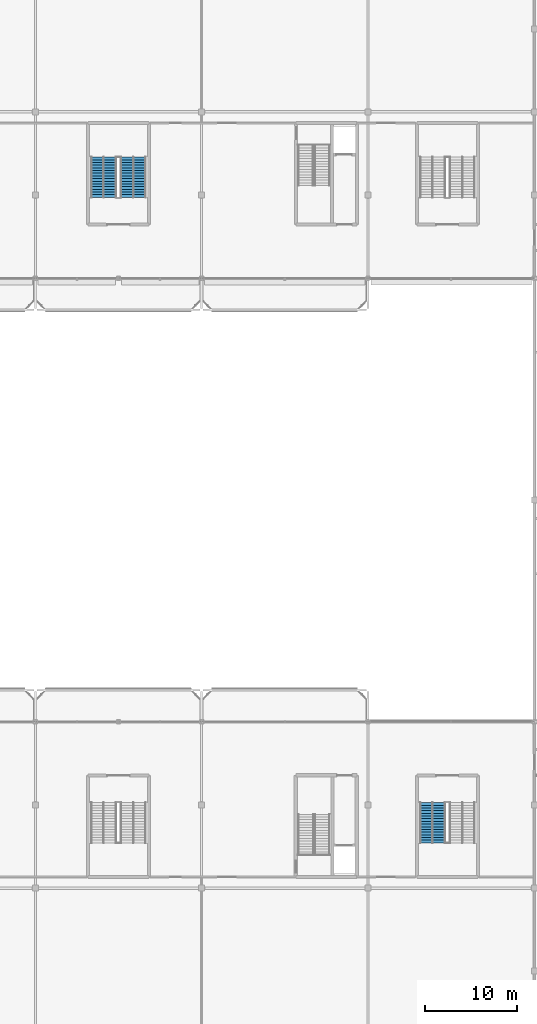
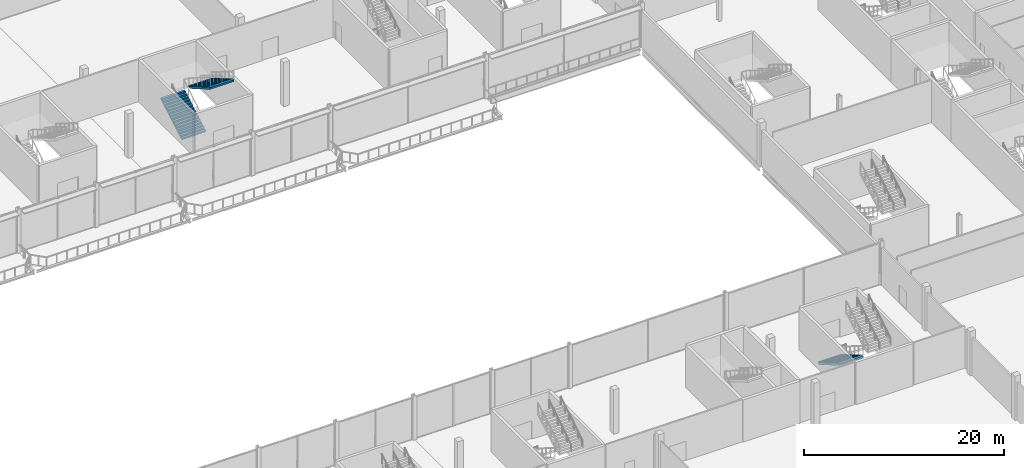
# One storey, part 88 of 113: 3 stair flights, 2 elements without a shape of their own.
"""IFC4 building model written with IfcOpenShell, lengths in metres."""

from ifc_helpers import new_model, si_unit, direction, frame, origin, place, context, subcontext, project, spatial, polygons, material, type_object, element, aggregate, save


model = new_model("IFC4")

# Units and contexts
model_context = context("Model", 3, precision=1e-05, world=origin(), true_north=direction((0.0, 1.0)))
body_context = subcontext(model_context, "Body", "Model", "MODEL_VIEW")
ifc_project = project(units=[si_unit("LENGTHUNIT", "METRE"), si_unit("AREAUNIT", "SQUARE_METRE"), si_unit("VOLUMEUNIT", "CUBIC_METRE"), si_unit("PLANEANGLEUNIT", "RADIAN"), si_unit("MASSUNIT", "GRAM", prefix="KILO")], contexts=[model_context])

# Site, building, storey
site_placement = place(None, origin())
site = spatial("IfcSite", under=ifc_project, at=site_placement, CompositionType="ELEMENT")
building_placement = place(site_placement, origin())
building = spatial("IfcBuilding", under=site, at=building_placement, Name="Kisiwana Market Hall", CompositionType="ELEMENT")
storey_placement = place(building_placement, frame((0.0, 0.0, 6.0)))
storey = spatial("IfcBuildingStorey", under=building, at=storey_placement, Name="L01", CompositionType="ELEMENT", Elevation=6.0)

# Stair, stair flights
ifc_material_1 = material(Name="Concrete C32/40", Category="concrete")
stair_type = type_object("IfcStairType", Name="ST-ESC-5400", PredefinedType="TWO_STRAIGHT_RUN_STAIR", material=ifc_material_1)
stair_1_placement = place(storey_placement, origin())
stair_1 = element("IfcStair", 1, at=stair_1_placement, inside=storey, type_object=stair_type, Name="Escape stair ST-N5-L01", PredefinedType="TWO_STRAIGHT_RUN_STAIR")
ifc_material_2 = material(Name="Concrete C32/40", Category="concrete")
stair_flight_type = type_object("IfcStairFlightType", Name="SF-ESC-5400", PredefinedType="STRAIGHT", material=ifc_material_2)
stair_flight_1_placement = place(storey_placement, frame((106.389892578125, 92.760009765625, 0.0), z_axis=(0.0, 0.0, 1.0), x_axis=(0.0, 1.0, 0.0)))
stair_flight_1 = element("IfcStairFlight", 2, at=stair_flight_1_placement, type_object=stair_flight_type, Name="ST-N5-L01 flight 1", NumberOfRisers=16, NumberOfTreads=15, PredefinedType="STRAIGHT", RiserHeight=0.16875, TreadLength=0.29, context=body_context, shape_type="Tessellation", body=[
    polygons([(0.0, -1.380127, 0.0), (0.0, -0.690125, 0.0), (0.0, -0.000122, 0.0), (0.0, 0.68988, 0.0), (0.0, 1.379883, 0.0), (0.0, -1.380127, 0.168701), (0.0, -0.690125, 0.168701), (0.0, -0.000122, 0.168701), (0.0, 0.68988, 0.168701), (0.0, 1.379883, 0.168701), (0.290039, -1.380127, 0.168701), (0.290039, -0.690125, 0.168701), (0.290039, -0.000122, 0.168701), (0.290039, 0.68988, 0.168701), (0.290039, 1.379883, 0.168701), (0.290039, -1.380127, 0.337402), (0.290039, -0.690125, 0.337402), (0.290039, -0.000122, 0.337402), (0.290039, 0.68988, 0.337402), (0.290039, 1.379883, 0.337402), (0.580078, -1.380127, 0.337402), (0.580078, -0.690125, 0.337402), (0.580078, -0.000122, 0.337402), (0.580078, 0.68988, 0.337402), (0.580078, 1.379883, 0.337402), (0.580078, -1.380127, 0.506348), (0.580078, -0.690125, 0.506348), (0.580078, -0.000122, 0.506348), (0.580078, 0.68988, 0.506348), (0.580078, 1.379883, 0.506348), (0.870117, -1.380127, 0.506348), (0.870117, -0.690125, 0.506348), (0.870117, -0.000122, 0.506348), (0.870117, 0.68988, 0.506348), (0.870117, 1.379883, 0.506348), (0.870117, -1.380127, 0.675049), (0.870117, -0.690125, 0.675049), (0.870117, -0.000122, 0.675049), (0.870117, 0.68988, 0.675049), (0.870117, 1.379883, 0.675049), (1.159912, -1.380127, 0.675049), (1.159912, -0.690125, 0.675049), (1.159912, -0.000122, 0.675049), (1.159912, 0.68988, 0.675049), (1.159912, 1.379883, 0.675049), (1.159912, -1.380127, 0.84375), (1.159912, -0.690125, 0.84375), (1.159912, -0.000122, 0.84375), (1.159912, 0.68988, 0.84375), (1.159912, 1.379883, 0.84375), (1.449951, -1.380127, 0.84375), (1.449951, -0.690125, 0.84375), (1.449951, -0.000122, 0.84375), (1.449951, 0.68988, 0.84375), (1.449951, 1.379883, 0.84375), (1.449951, -1.380127, 1.012451), (1.449951, -0.690125, 1.012451), (1.449951, -0.000122, 1.012451), (1.449951, 0.68988, 1.012451), (1.449951, 1.379883, 1.012451), (1.73999, -1.380127, 1.012451), (1.73999, -0.690125, 1.012451), (1.73999, -0.000122, 1.012451), (1.73999, 0.68988, 1.012451), (1.73999, 1.379883, 1.012451), (1.73999, -1.380127, 1.181152), (1.73999, -0.690125, 1.181152), (1.73999, -0.000122, 1.181152), (1.73999, 0.68988, 1.181152), (1.73999, 1.379883, 1.181152), (2.030029, -1.380127, 1.181152), (2.030029, -0.690125, 1.181152), (2.030029, -0.000122, 1.181152), (2.030029, 0.68988, 1.181152), (2.030029, 1.379883, 1.181152), (2.030029, -1.380127, 1.350098), (2.030029, -0.690125, 1.350098), (2.030029, -0.000122, 1.350098), (2.030029, 0.68988, 1.350098), (2.030029, 1.379883, 1.350098), (2.320068, -1.380127, 1.350098), (2.320068, -0.690125, 1.350098), (2.320068, -0.000122, 1.350098), (2.320068, 0.68988, 1.350098), (2.320068, 1.379883, 1.350098), (2.320068, -1.380127, 1.518799), (2.320068, -0.690125, 1.518799), (2.320068, -0.000122, 1.518799), (2.320068, 0.68988, 1.518799), (2.320068, 1.379883, 1.518799), (2.610107, -1.380127, 1.518799), (2.610107, -0.690125, 1.518799), (2.610107, -0.000122, 1.518799), (2.610107, 0.68988, 1.518799), (2.610107, 1.379883, 1.518799), (2.610107, -1.380127, 1.6875), (2.610107, -0.690125, 1.6875), (2.610107, -0.000122, 1.6875), (2.610107, 0.68988, 1.6875), (2.610107, 1.379883, 1.6875), (2.899902, -1.380127, 1.6875), (2.899902, -0.690125, 1.6875), (2.899902, -0.000122, 1.6875), (2.899902, 0.68988, 1.6875), (2.899902, 1.379883, 1.6875), (2.899902, -1.380127, 1.856201), (2.899902, -0.690125, 1.856201), (2.899902, -0.000122, 1.856201), (2.899902, 0.68988, 1.856201), (2.899902, 1.379883, 1.856201), (3.189941, -1.380127, 1.856201), (3.189941, -0.690125, 1.856201), (3.189941, -0.000122, 1.856201), (3.189941, 0.68988, 1.856201), (3.189941, 1.379883, 1.856201), (3.189941, -1.380127, 2.024902), (3.189941, -0.690125, 2.024902), (3.189941, -0.000122, 2.024902), (3.189941, 0.68988, 2.024902), (3.189941, 1.379883, 2.024902), (3.47998, -1.380127, 2.024902), (3.47998, -0.690125, 2.024902), (3.47998, -0.000122, 2.024902), (3.47998, 0.68988, 2.024902), (3.47998, 1.379883, 2.024902), (3.47998, -1.380127, 2.193848), (3.47998, -0.690125, 2.193848), (3.47998, -0.000122, 2.193848), (3.47998, 0.68988, 2.193848), (3.47998, 1.379883, 2.193848), (3.77002, -1.380127, 2.193848), (3.77002, -0.690125, 2.193848), (3.77002, -0.000122, 2.193848), (3.77002, 0.68988, 2.193848), (3.77002, 1.379883, 2.193848), (3.77002, -1.380127, 2.362549), (3.77002, -0.690125, 2.362549), (3.77002, -0.000122, 2.362549), (3.77002, 0.68988, 2.362549), (3.77002, 1.379883, 2.362549), (4.060059, -1.380127, 2.362549), (4.060059, -0.690125, 2.362549), (4.060059, -0.000122, 2.362549), (4.060059, 0.68988, 2.362549), (4.060059, 1.379883, 2.362549), (4.060059, -1.380127, 2.53125), (4.060059, -0.690125, 2.53125), (4.060059, -0.000122, 2.53125), (4.060059, 0.68988, 2.53125), (4.060059, 1.379883, 2.53125), (4.350098, -1.380127, 2.53125), (4.350098, -0.690125, 2.53125), (4.350098, -0.000122, 2.53125), (4.350098, 0.68988, 2.53125), (4.350098, 1.379883, 2.53125), (4.350098, -1.380127, 2.322998), (4.350098, -0.690125, 2.322998), (4.350098, -0.000122, 2.322998), (4.350098, 0.68988, 2.322998), (4.350098, 1.379883, 2.322998), (0.357666, -1.380127, 0.0), (0.357666, -0.690125, 0.0), (0.357666, -0.000122, 0.0), (0.357666, 0.68988, 0.0), (0.357666, 1.379883, 0.0)], [[[1, 6, 7, 2]], [[2, 7, 8, 3]], [[3, 8, 9, 4]], [[4, 9, 10, 5]], [[6, 11, 12, 7]], [[7, 12, 13, 8]], [[8, 13, 14, 9]], [[9, 14, 15, 10]], [[11, 16, 17, 12]], [[12, 17, 18, 13]], [[13, 18, 19, 14]], [[14, 19, 20, 15]], [[16, 21, 22, 17]], [[17, 22, 23, 18]], [[18, 23, 24, 19]], [[19, 24, 25, 20]], [[21, 26, 27, 22]], [[22, 27, 28, 23]], [[23, 28, 29, 24]], [[24, 29, 30, 25]], [[26, 31, 32, 27]], [[27, 32, 33, 28]], [[28, 33, 34, 29]], [[29, 34, 35, 30]], [[31, 36, 37, 32]], [[32, 37, 38, 33]], [[33, 38, 39, 34]], [[34, 39, 40, 35]], [[36, 41, 42, 37]], [[37, 42, 43, 38]], [[38, 43, 44, 39]], [[39, 44, 45, 40]], [[41, 46, 47, 42]], [[42, 47, 48, 43]], [[43, 48, 49, 44]], [[44, 49, 50, 45]], [[46, 51, 52, 47]], [[47, 52, 53, 48]], [[48, 53, 54, 49]], [[49, 54, 55, 50]], [[51, 56, 57, 52]], [[52, 57, 58, 53]], [[53, 58, 59, 54]], [[54, 59, 60, 55]], [[56, 61, 62, 57]], [[57, 62, 63, 58]], [[58, 63, 64, 59]], [[59, 64, 65, 60]], [[61, 66, 67, 62]], [[62, 67, 68, 63]], [[63, 68, 69, 64]], [[64, 69, 70, 65]], [[66, 71, 72, 67]], [[67, 72, 73, 68]], [[68, 73, 74, 69]], [[69, 74, 75, 70]], [[71, 76, 77, 72]], [[72, 77, 78, 73]], [[73, 78, 79, 74]], [[74, 79, 80, 75]], [[76, 81, 82, 77]], [[77, 82, 83, 78]], [[78, 83, 84, 79]], [[79, 84, 85, 80]], [[81, 86, 87, 82]], [[82, 87, 88, 83]], [[83, 88, 89, 84]], [[84, 89, 90, 85]], [[86, 91, 92, 87]], [[87, 92, 93, 88]], [[88, 93, 94, 89]], [[89, 94, 95, 90]], [[91, 96, 97, 92]], [[92, 97, 98, 93]], [[93, 98, 99, 94]], [[94, 99, 100, 95]], [[96, 101, 102, 97]], [[97, 102, 103, 98]], [[98, 103, 104, 99]], [[99, 104, 105, 100]], [[101, 106, 107, 102]], [[102, 107, 108, 103]], [[103, 108, 109, 104]], [[104, 109, 110, 105]], [[106, 111, 112, 107]], [[107, 112, 113, 108]], [[108, 113, 114, 109]], [[109, 114, 115, 110]], [[111, 116, 117, 112]], [[112, 117, 118, 113]], [[113, 118, 119, 114]], [[114, 119, 120, 115]], [[116, 121, 122, 117]], [[117, 122, 123, 118]], [[118, 123, 124, 119]], [[119, 124, 125, 120]], [[121, 126, 127, 122]], [[122, 127, 128, 123]], [[123, 128, 129, 124]], [[124, 129, 130, 125]], [[126, 131, 132, 127]], [[127, 132, 133, 128]], [[128, 133, 134, 129]], [[129, 134, 135, 130]], [[131, 136, 137, 132]], [[132, 137, 138, 133]], [[133, 138, 139, 134]], [[134, 139, 140, 135]], [[136, 141, 142, 137]], [[137, 142, 143, 138]], [[138, 143, 144, 139]], [[139, 144, 145, 140]], [[141, 146, 147, 142]], [[142, 147, 148, 143]], [[143, 148, 149, 144]], [[144, 149, 150, 145]], [[146, 151, 152, 147]], [[147, 152, 153, 148]], [[148, 153, 154, 149]], [[149, 154, 155, 150]], [[151, 156, 157, 152]], [[152, 157, 158, 153]], [[153, 158, 159, 154]], [[154, 159, 160, 155]], [[156, 161, 162, 157]], [[157, 162, 163, 158]], [[158, 163, 164, 159]], [[159, 164, 165, 160]], [[161, 1, 2, 162]], [[162, 2, 3, 163]], [[163, 3, 4, 164]], [[164, 4, 5, 165]], [[161, 156, 151, 146, 141, 136, 131, 126, 121, 116, 111, 106, 101, 96, 91, 86, 81, 76, 71, 66, 61, 56, 51, 46, 41, 36, 31, 26, 21, 16, 11, 6, 1]], [[5, 10, 15, 20, 25, 30, 35, 40, 45, 50, 55, 60, 65, 70, 75, 80, 85, 90, 95, 100, 105, 110, 115, 120, 125, 130, 135, 140, 145, 150, 155, 160, 165]]], closed=True),
])
stair_flight_2_placement = place(storey_placement, frame((109.610107421875, 97.110107421875, 2.699951171875), z_axis=(0.0, 0.0, 1.0), x_axis=(0.0, -1.0, 0.0)))
stair_flight_2 = element("IfcStairFlight", 3, at=stair_flight_2_placement, type_object=stair_flight_type, Name="ST-N5-L01 flight 2", NumberOfRisers=16, NumberOfTreads=15, PredefinedType="STRAIGHT", RiserHeight=0.16875, TreadLength=0.29, context=body_context, shape_type="Tessellation", body=[
    polygons([(0.0, -1.380127, 0.0), (0.0, -0.690125, 0.0), (0.0, -0.000122, 0.0), (0.0, 0.68988, 0.0), (0.0, 1.379883, 0.0), (0.0, -1.380127, 0.168701), (0.0, -0.690125, 0.168701), (0.0, -0.000122, 0.168701), (0.0, 0.68988, 0.168701), (0.0, 1.379883, 0.168701), (0.290039, -1.380127, 0.168701), (0.290039, -0.690125, 0.168701), (0.290039, -0.000122, 0.168701), (0.290039, 0.68988, 0.168701), (0.290039, 1.379883, 0.168701), (0.290039, -1.380127, 0.337402), (0.290039, -0.690125, 0.337402), (0.290039, -0.000122, 0.337402), (0.290039, 0.68988, 0.337402), (0.290039, 1.379883, 0.337402), (0.580078, -1.380127, 0.337402), (0.580078, -0.690125, 0.337402), (0.580078, -0.000122, 0.337402), (0.580078, 0.68988, 0.337402), (0.580078, 1.379883, 0.337402), (0.580078, -1.380127, 0.506348), (0.580078, -0.690125, 0.506348), (0.580078, -0.000122, 0.506348), (0.580078, 0.68988, 0.506348), (0.580078, 1.379883, 0.506348), (0.870117, -1.380127, 0.506348), (0.870117, -0.690125, 0.506348), (0.870117, -0.000122, 0.506348), (0.870117, 0.68988, 0.506348), (0.870117, 1.379883, 0.506348), (0.870117, -1.380127, 0.675049), (0.870117, -0.690125, 0.675049), (0.870117, -0.000122, 0.675049), (0.870117, 0.68988, 0.675049), (0.870117, 1.379883, 0.675049), (1.159912, -1.380127, 0.675049), (1.159912, -0.690125, 0.675049), (1.159912, -0.000122, 0.675049), (1.159912, 0.68988, 0.675049), (1.159912, 1.379883, 0.675049), (1.159912, -1.380127, 0.84375), (1.159912, -0.690125, 0.84375), (1.159912, -0.000122, 0.84375), (1.159912, 0.68988, 0.84375), (1.159912, 1.379883, 0.84375), (1.449951, -1.380127, 0.84375), (1.449951, -0.690125, 0.84375), (1.449951, -0.000122, 0.84375), (1.449951, 0.68988, 0.84375), (1.449951, 1.379883, 0.84375), (1.449951, -1.380127, 1.012451), (1.449951, -0.690125, 1.012451), (1.449951, -0.000122, 1.012451), (1.449951, 0.68988, 1.012451), (1.449951, 1.379883, 1.012451), (1.73999, -1.380127, 1.012451), (1.73999, -0.690125, 1.012451), (1.73999, -0.000122, 1.012451), (1.73999, 0.68988, 1.012451), (1.73999, 1.379883, 1.012451), (1.73999, -1.380127, 1.181152), (1.73999, -0.690125, 1.181152), (1.73999, -0.000122, 1.181152), (1.73999, 0.68988, 1.181152), (1.73999, 1.379883, 1.181152), (2.030029, -1.380127, 1.181152), (2.030029, -0.690125, 1.181152), (2.030029, -0.000122, 1.181152), (2.030029, 0.68988, 1.181152), (2.030029, 1.379883, 1.181152), (2.030029, -1.380127, 1.350098), (2.030029, -0.690125, 1.350098), (2.030029, -0.000122, 1.350098), (2.030029, 0.68988, 1.350098), (2.030029, 1.379883, 1.350098), (2.320068, -1.380127, 1.350098), (2.320068, -0.690125, 1.350098), (2.320068, -0.000122, 1.350098), (2.320068, 0.68988, 1.350098), (2.320068, 1.379883, 1.350098), (2.320068, -1.380127, 1.518799), (2.320068, -0.690125, 1.518799), (2.320068, -0.000122, 1.518799), (2.320068, 0.68988, 1.518799), (2.320068, 1.379883, 1.518799), (2.610107, -1.380127, 1.518799), (2.610107, -0.690125, 1.518799), (2.610107, -0.000122, 1.518799), (2.610107, 0.68988, 1.518799), (2.610107, 1.379883, 1.518799), (2.610107, -1.380127, 1.6875), (2.610107, -0.690125, 1.6875), (2.610107, -0.000122, 1.6875), (2.610107, 0.68988, 1.6875), (2.610107, 1.379883, 1.6875), (2.899902, -1.380127, 1.6875), (2.899902, -0.690125, 1.6875), (2.899902, -0.000122, 1.6875), (2.899902, 0.68988, 1.6875), (2.899902, 1.379883, 1.6875), (2.899902, -1.380127, 1.856201), (2.899902, -0.690125, 1.856201), (2.899902, -0.000122, 1.856201), (2.899902, 0.68988, 1.856201), (2.899902, 1.379883, 1.856201), (3.189941, -1.380127, 1.856201), (3.189941, -0.690125, 1.856201), (3.189941, -0.000122, 1.856201), (3.189941, 0.68988, 1.856201), (3.189941, 1.379883, 1.856201), (3.189941, -1.380127, 2.024902), (3.189941, -0.690125, 2.024902), (3.189941, -0.000122, 2.024902), (3.189941, 0.68988, 2.024902), (3.189941, 1.379883, 2.024902), (3.47998, -1.380127, 2.024902), (3.47998, -0.690125, 2.024902), (3.47998, -0.000122, 2.024902), (3.47998, 0.68988, 2.024902), (3.47998, 1.379883, 2.024902), (3.47998, -1.380127, 2.193848), (3.47998, -0.690125, 2.193848), (3.47998, -0.000122, 2.193848), (3.47998, 0.68988, 2.193848), (3.47998, 1.379883, 2.193848), (3.77002, -1.380127, 2.193848), (3.77002, -0.690125, 2.193848), (3.77002, -0.000122, 2.193848), (3.77002, 0.68988, 2.193848), (3.77002, 1.379883, 2.193848), (3.77002, -1.380127, 2.362549), (3.77002, -0.690125, 2.362549), (3.77002, -0.000122, 2.362549), (3.77002, 0.68988, 2.362549), (3.77002, 1.379883, 2.362549), (4.060059, -1.380127, 2.362549), (4.060059, -0.690125, 2.362549), (4.060059, -0.000122, 2.362549), (4.060059, 0.68988, 2.362549), (4.060059, 1.379883, 2.362549), (4.060059, -1.380127, 2.53125), (4.060059, -0.690125, 2.53125), (4.060059, -0.000122, 2.53125), (4.060059, 0.68988, 2.53125), (4.060059, 1.379883, 2.53125), (4.350098, -1.380127, 2.53125), (4.350098, -0.690125, 2.53125), (4.350098, -0.000122, 2.53125), (4.350098, 0.68988, 2.53125), (4.350098, 1.379883, 2.53125), (4.350098, -1.380127, 2.322998), (4.350098, -0.690125, 2.322998), (4.350098, -0.000122, 2.322998), (4.350098, 0.68988, 2.322998), (4.350098, 1.379883, 2.322998), (0.357666, -1.380127, 0.0), (0.357666, -0.690125, 0.0), (0.357666, -0.000122, 0.0), (0.357666, 0.68988, 0.0), (0.357666, 1.379883, 0.0)], [[[1, 6, 7, 2]], [[2, 7, 8, 3]], [[3, 8, 9, 4]], [[4, 9, 10, 5]], [[6, 11, 12, 7]], [[7, 12, 13, 8]], [[8, 13, 14, 9]], [[9, 14, 15, 10]], [[11, 16, 17, 12]], [[12, 17, 18, 13]], [[13, 18, 19, 14]], [[14, 19, 20, 15]], [[16, 21, 22, 17]], [[17, 22, 23, 18]], [[18, 23, 24, 19]], [[19, 24, 25, 20]], [[21, 26, 27, 22]], [[22, 27, 28, 23]], [[23, 28, 29, 24]], [[24, 29, 30, 25]], [[26, 31, 32, 27]], [[27, 32, 33, 28]], [[28, 33, 34, 29]], [[29, 34, 35, 30]], [[31, 36, 37, 32]], [[32, 37, 38, 33]], [[33, 38, 39, 34]], [[34, 39, 40, 35]], [[36, 41, 42, 37]], [[37, 42, 43, 38]], [[38, 43, 44, 39]], [[39, 44, 45, 40]], [[41, 46, 47, 42]], [[42, 47, 48, 43]], [[43, 48, 49, 44]], [[44, 49, 50, 45]], [[46, 51, 52, 47]], [[47, 52, 53, 48]], [[48, 53, 54, 49]], [[49, 54, 55, 50]], [[51, 56, 57, 52]], [[52, 57, 58, 53]], [[53, 58, 59, 54]], [[54, 59, 60, 55]], [[56, 61, 62, 57]], [[57, 62, 63, 58]], [[58, 63, 64, 59]], [[59, 64, 65, 60]], [[61, 66, 67, 62]], [[62, 67, 68, 63]], [[63, 68, 69, 64]], [[64, 69, 70, 65]], [[66, 71, 72, 67]], [[67, 72, 73, 68]], [[68, 73, 74, 69]], [[69, 74, 75, 70]], [[71, 76, 77, 72]], [[72, 77, 78, 73]], [[73, 78, 79, 74]], [[74, 79, 80, 75]], [[76, 81, 82, 77]], [[77, 82, 83, 78]], [[78, 83, 84, 79]], [[79, 84, 85, 80]], [[81, 86, 87, 82]], [[82, 87, 88, 83]], [[83, 88, 89, 84]], [[84, 89, 90, 85]], [[86, 91, 92, 87]], [[87, 92, 93, 88]], [[88, 93, 94, 89]], [[89, 94, 95, 90]], [[91, 96, 97, 92]], [[92, 97, 98, 93]], [[93, 98, 99, 94]], [[94, 99, 100, 95]], [[96, 101, 102, 97]], [[97, 102, 103, 98]], [[98, 103, 104, 99]], [[99, 104, 105, 100]], [[101, 106, 107, 102]], [[102, 107, 108, 103]], [[103, 108, 109, 104]], [[104, 109, 110, 105]], [[106, 111, 112, 107]], [[107, 112, 113, 108]], [[108, 113, 114, 109]], [[109, 114, 115, 110]], [[111, 116, 117, 112]], [[112, 117, 118, 113]], [[113, 118, 119, 114]], [[114, 119, 120, 115]], [[116, 121, 122, 117]], [[117, 122, 123, 118]], [[118, 123, 124, 119]], [[119, 124, 125, 120]], [[121, 126, 127, 122]], [[122, 127, 128, 123]], [[123, 128, 129, 124]], [[124, 129, 130, 125]], [[126, 131, 132, 127]], [[127, 132, 133, 128]], [[128, 133, 134, 129]], [[129, 134, 135, 130]], [[131, 136, 137, 132]], [[132, 137, 138, 133]], [[133, 138, 139, 134]], [[134, 139, 140, 135]], [[136, 141, 142, 137]], [[137, 142, 143, 138]], [[138, 143, 144, 139]], [[139, 144, 145, 140]], [[141, 146, 147, 142]], [[142, 147, 148, 143]], [[143, 148, 149, 144]], [[144, 149, 150, 145]], [[146, 151, 152, 147]], [[147, 152, 153, 148]], [[148, 153, 154, 149]], [[149, 154, 155, 150]], [[151, 156, 157, 152]], [[152, 157, 158, 153]], [[153, 158, 159, 154]], [[154, 159, 160, 155]], [[156, 161, 162, 157]], [[157, 162, 163, 158]], [[158, 163, 164, 159]], [[159, 164, 165, 160]], [[161, 1, 2, 162]], [[162, 2, 3, 163]], [[163, 3, 4, 164]], [[164, 4, 5, 165]], [[161, 156, 151, 146, 141, 136, 131, 126, 121, 116, 111, 106, 101, 96, 91, 86, 81, 76, 71, 66, 61, 56, 51, 46, 41, 36, 31, 26, 21, 16, 11, 6, 1]], [[5, 10, 15, 20, 25, 30, 35, 40, 45, 50, 55, 60, 65, 70, 75, 80, 85, 90, 95, 100, 105, 110, 115, 120, 125, 130, 135, 140, 145, 150, 155, 160, 165]]], closed=True),
])
aggregate(stair_1, [stair_flight_1, stair_flight_2])

# Stair, stair flight
stair_2_placement = place(storey_placement, origin())
stair_2 = element("IfcStair", 4, at=stair_2_placement, inside=storey, type_object=stair_type, Name="Escape stair ST-S6-L01", PredefinedType="TWO_STRAIGHT_RUN_STAIR")
stair_flight_3_placement = place(storey_placement, frame((141.989990234375, 27.239990234375, 0.0), z_axis=(0.0, 0.0, 1.0), x_axis=(0.0, -1.0, 0.0)))
stair_flight_3 = element("IfcStairFlight", 5, at=stair_flight_3_placement, type_object=stair_flight_type, Name="ST-S6-L01 flight 1", NumberOfRisers=16, NumberOfTreads=15, PredefinedType="STRAIGHT", RiserHeight=0.16875, TreadLength=0.29, context=body_context, shape_type="Tessellation", body=[
    polygons([(0.0, -1.380127, 0.0), (0.0, -0.690125, 0.0), (0.0, -0.000122, 0.0), (0.0, 0.68988, 0.0), (0.0, 1.379883, 0.0), (0.0, -1.380127, 0.168701), (0.0, -0.690125, 0.168701), (0.0, -0.000122, 0.168701), (0.0, 0.68988, 0.168701), (0.0, 1.379883, 0.168701), (0.290039, -1.380127, 0.168701), (0.290039, -0.690125, 0.168701), (0.290039, -0.000122, 0.168701), (0.290039, 0.68988, 0.168701), (0.290039, 1.379883, 0.168701), (0.290039, -1.380127, 0.337402), (0.290039, -0.690125, 0.337402), (0.290039, -0.000122, 0.337402), (0.290039, 0.68988, 0.337402), (0.290039, 1.379883, 0.337402), (0.580078, -1.380127, 0.337402), (0.580078, -0.690125, 0.337402), (0.580078, -0.000122, 0.337402), (0.580078, 0.68988, 0.337402), (0.580078, 1.379883, 0.337402), (0.580078, -1.380127, 0.506348), (0.580078, -0.690125, 0.506348), (0.580078, -0.000122, 0.506348), (0.580078, 0.68988, 0.506348), (0.580078, 1.379883, 0.506348), (0.870117, -1.380127, 0.506348), (0.870117, -0.690125, 0.506348), (0.870117, -0.000122, 0.506348), (0.870117, 0.68988, 0.506348), (0.870117, 1.379883, 0.506348), (0.870117, -1.380127, 0.675049), (0.870117, -0.690125, 0.675049), (0.870117, -0.000122, 0.675049), (0.870117, 0.68988, 0.675049), (0.870117, 1.379883, 0.675049), (1.159912, -1.380127, 0.675049), (1.159912, -0.690125, 0.675049), (1.159912, -0.000122, 0.675049), (1.159912, 0.68988, 0.675049), (1.159912, 1.379883, 0.675049), (1.159912, -1.380127, 0.84375), (1.159912, -0.690125, 0.84375), (1.159912, -0.000122, 0.84375), (1.159912, 0.68988, 0.84375), (1.159912, 1.379883, 0.84375), (1.449951, -1.380127, 0.84375), (1.449951, -0.690125, 0.84375), (1.449951, -0.000122, 0.84375), (1.449951, 0.68988, 0.84375), (1.449951, 1.379883, 0.84375), (1.449951, -1.380127, 1.012451), (1.449951, -0.690125, 1.012451), (1.449951, -0.000122, 1.012451), (1.449951, 0.68988, 1.012451), (1.449951, 1.379883, 1.012451), (1.73999, -1.380127, 1.012451), (1.73999, -0.690125, 1.012451), (1.73999, -0.000122, 1.012451), (1.73999, 0.68988, 1.012451), (1.73999, 1.379883, 1.012451), (1.73999, -1.380127, 1.181152), (1.73999, -0.690125, 1.181152), (1.73999, -0.000122, 1.181152), (1.73999, 0.68988, 1.181152), (1.73999, 1.379883, 1.181152), (2.030029, -1.380127, 1.181152), (2.030029, -0.690125, 1.181152), (2.030029, -0.000122, 1.181152), (2.030029, 0.68988, 1.181152), (2.030029, 1.379883, 1.181152), (2.030029, -1.380127, 1.350098), (2.030029, -0.690125, 1.350098), (2.030029, -0.000122, 1.350098), (2.030029, 0.68988, 1.350098), (2.030029, 1.379883, 1.350098), (2.320068, -1.380127, 1.350098), (2.320068, -0.690125, 1.350098), (2.320068, -0.000122, 1.350098), (2.320068, 0.68988, 1.350098), (2.320068, 1.379883, 1.350098), (2.320068, -1.380127, 1.518799), (2.320068, -0.690125, 1.518799), (2.320068, -0.000122, 1.518799), (2.320068, 0.68988, 1.518799), (2.320068, 1.379883, 1.518799), (2.610107, -1.380127, 1.518799), (2.610107, -0.690125, 1.518799), (2.610107, -0.000122, 1.518799), (2.610107, 0.68988, 1.518799), (2.610107, 1.379883, 1.518799), (2.610107, -1.380127, 1.6875), (2.610107, -0.690125, 1.6875), (2.610107, -0.000122, 1.6875), (2.610107, 0.68988, 1.6875), (2.610107, 1.379883, 1.6875), (2.899902, -1.380127, 1.6875), (2.899902, -0.690125, 1.6875), (2.899902, -0.000122, 1.6875), (2.899902, 0.68988, 1.6875), (2.899902, 1.379883, 1.6875), (2.899902, -1.380127, 1.856201), (2.899902, -0.690125, 1.856201), (2.899902, -0.000122, 1.856201), (2.899902, 0.68988, 1.856201), (2.899902, 1.379883, 1.856201), (3.189941, -1.380127, 1.856201), (3.189941, -0.690125, 1.856201), (3.189941, -0.000122, 1.856201), (3.189941, 0.68988, 1.856201), (3.189941, 1.379883, 1.856201), (3.189941, -1.380127, 2.024902), (3.189941, -0.690125, 2.024902), (3.189941, -0.000122, 2.024902), (3.189941, 0.68988, 2.024902), (3.189941, 1.379883, 2.024902), (3.47998, -1.380127, 2.024902), (3.47998, -0.690125, 2.024902), (3.47998, -0.000122, 2.024902), (3.47998, 0.68988, 2.024902), (3.47998, 1.379883, 2.024902), (3.47998, -1.380127, 2.193848), (3.47998, -0.690125, 2.193848), (3.47998, -0.000122, 2.193848), (3.47998, 0.68988, 2.193848), (3.47998, 1.379883, 2.193848), (3.77002, -1.380127, 2.193848), (3.77002, -0.690125, 2.193848), (3.77002, -0.000122, 2.193848), (3.77002, 0.68988, 2.193848), (3.77002, 1.379883, 2.193848), (3.77002, -1.380127, 2.362549), (3.77002, -0.690125, 2.362549), (3.77002, -0.000122, 2.362549), (3.77002, 0.68988, 2.362549), (3.77002, 1.379883, 2.362549), (4.060059, -1.380127, 2.362549), (4.060059, -0.690125, 2.362549), (4.060059, -0.000122, 2.362549), (4.060059, 0.68988, 2.362549), (4.060059, 1.379883, 2.362549), (4.060059, -1.380127, 2.53125), (4.060059, -0.690125, 2.53125), (4.060059, -0.000122, 2.53125), (4.060059, 0.68988, 2.53125), (4.060059, 1.379883, 2.53125), (4.350098, -1.380127, 2.53125), (4.350098, -0.690125, 2.53125), (4.350098, -0.000122, 2.53125), (4.350098, 0.68988, 2.53125), (4.350098, 1.379883, 2.53125), (4.350098, -1.380127, 2.322998), (4.350098, -0.690125, 2.322998), (4.350098, -0.000122, 2.322998), (4.350098, 0.68988, 2.322998), (4.350098, 1.379883, 2.322998), (0.357666, -1.380127, 0.0), (0.357666, -0.690125, 0.0), (0.357666, -0.000122, 0.0), (0.357666, 0.68988, 0.0), (0.357666, 1.379883, 0.0)], [[[1, 6, 7, 2]], [[2, 7, 8, 3]], [[3, 8, 9, 4]], [[4, 9, 10, 5]], [[6, 11, 12, 7]], [[7, 12, 13, 8]], [[8, 13, 14, 9]], [[9, 14, 15, 10]], [[11, 16, 17, 12]], [[12, 17, 18, 13]], [[13, 18, 19, 14]], [[14, 19, 20, 15]], [[16, 21, 22, 17]], [[17, 22, 23, 18]], [[18, 23, 24, 19]], [[19, 24, 25, 20]], [[21, 26, 27, 22]], [[22, 27, 28, 23]], [[23, 28, 29, 24]], [[24, 29, 30, 25]], [[26, 31, 32, 27]], [[27, 32, 33, 28]], [[28, 33, 34, 29]], [[29, 34, 35, 30]], [[31, 36, 37, 32]], [[32, 37, 38, 33]], [[33, 38, 39, 34]], [[34, 39, 40, 35]], [[36, 41, 42, 37]], [[37, 42, 43, 38]], [[38, 43, 44, 39]], [[39, 44, 45, 40]], [[41, 46, 47, 42]], [[42, 47, 48, 43]], [[43, 48, 49, 44]], [[44, 49, 50, 45]], [[46, 51, 52, 47]], [[47, 52, 53, 48]], [[48, 53, 54, 49]], [[49, 54, 55, 50]], [[51, 56, 57, 52]], [[52, 57, 58, 53]], [[53, 58, 59, 54]], [[54, 59, 60, 55]], [[56, 61, 62, 57]], [[57, 62, 63, 58]], [[58, 63, 64, 59]], [[59, 64, 65, 60]], [[61, 66, 67, 62]], [[62, 67, 68, 63]], [[63, 68, 69, 64]], [[64, 69, 70, 65]], [[66, 71, 72, 67]], [[67, 72, 73, 68]], [[68, 73, 74, 69]], [[69, 74, 75, 70]], [[71, 76, 77, 72]], [[72, 77, 78, 73]], [[73, 78, 79, 74]], [[74, 79, 80, 75]], [[76, 81, 82, 77]], [[77, 82, 83, 78]], [[78, 83, 84, 79]], [[79, 84, 85, 80]], [[81, 86, 87, 82]], [[82, 87, 88, 83]], [[83, 88, 89, 84]], [[84, 89, 90, 85]], [[86, 91, 92, 87]], [[87, 92, 93, 88]], [[88, 93, 94, 89]], [[89, 94, 95, 90]], [[91, 96, 97, 92]], [[92, 97, 98, 93]], [[93, 98, 99, 94]], [[94, 99, 100, 95]], [[96, 101, 102, 97]], [[97, 102, 103, 98]], [[98, 103, 104, 99]], [[99, 104, 105, 100]], [[101, 106, 107, 102]], [[102, 107, 108, 103]], [[103, 108, 109, 104]], [[104, 109, 110, 105]], [[106, 111, 112, 107]], [[107, 112, 113, 108]], [[108, 113, 114, 109]], [[109, 114, 115, 110]], [[111, 116, 117, 112]], [[112, 117, 118, 113]], [[113, 118, 119, 114]], [[114, 119, 120, 115]], [[116, 121, 122, 117]], [[117, 122, 123, 118]], [[118, 123, 124, 119]], [[119, 124, 125, 120]], [[121, 126, 127, 122]], [[122, 127, 128, 123]], [[123, 128, 129, 124]], [[124, 129, 130, 125]], [[126, 131, 132, 127]], [[127, 132, 133, 128]], [[128, 133, 134, 129]], [[129, 134, 135, 130]], [[131, 136, 137, 132]], [[132, 137, 138, 133]], [[133, 138, 139, 134]], [[134, 139, 140, 135]], [[136, 141, 142, 137]], [[137, 142, 143, 138]], [[138, 143, 144, 139]], [[139, 144, 145, 140]], [[141, 146, 147, 142]], [[142, 147, 148, 143]], [[143, 148, 149, 144]], [[144, 149, 150, 145]], [[146, 151, 152, 147]], [[147, 152, 153, 148]], [[148, 153, 154, 149]], [[149, 154, 155, 150]], [[151, 156, 157, 152]], [[152, 157, 158, 153]], [[153, 158, 159, 154]], [[154, 159, 160, 155]], [[156, 161, 162, 157]], [[157, 162, 163, 158]], [[158, 163, 164, 159]], [[159, 164, 165, 160]], [[161, 1, 2, 162]], [[162, 2, 3, 163]], [[163, 3, 4, 164]], [[164, 4, 5, 165]], [[161, 156, 151, 146, 141, 136, 131, 126, 121, 116, 111, 106, 101, 96, 91, 86, 81, 76, 71, 66, 61, 56, 51, 46, 41, 36, 31, 26, 21, 16, 11, 6, 1]], [[5, 10, 15, 20, 25, 30, 35, 40, 45, 50, 55, 60, 65, 70, 75, 80, 85, 90, 95, 100, 105, 110, 115, 120, 125, 130, 135, 140, 145, 150, 155, 160, 165]]], closed=True),
])
aggregate(stair_2, [stair_flight_3])

save(model, "model.ifc")
